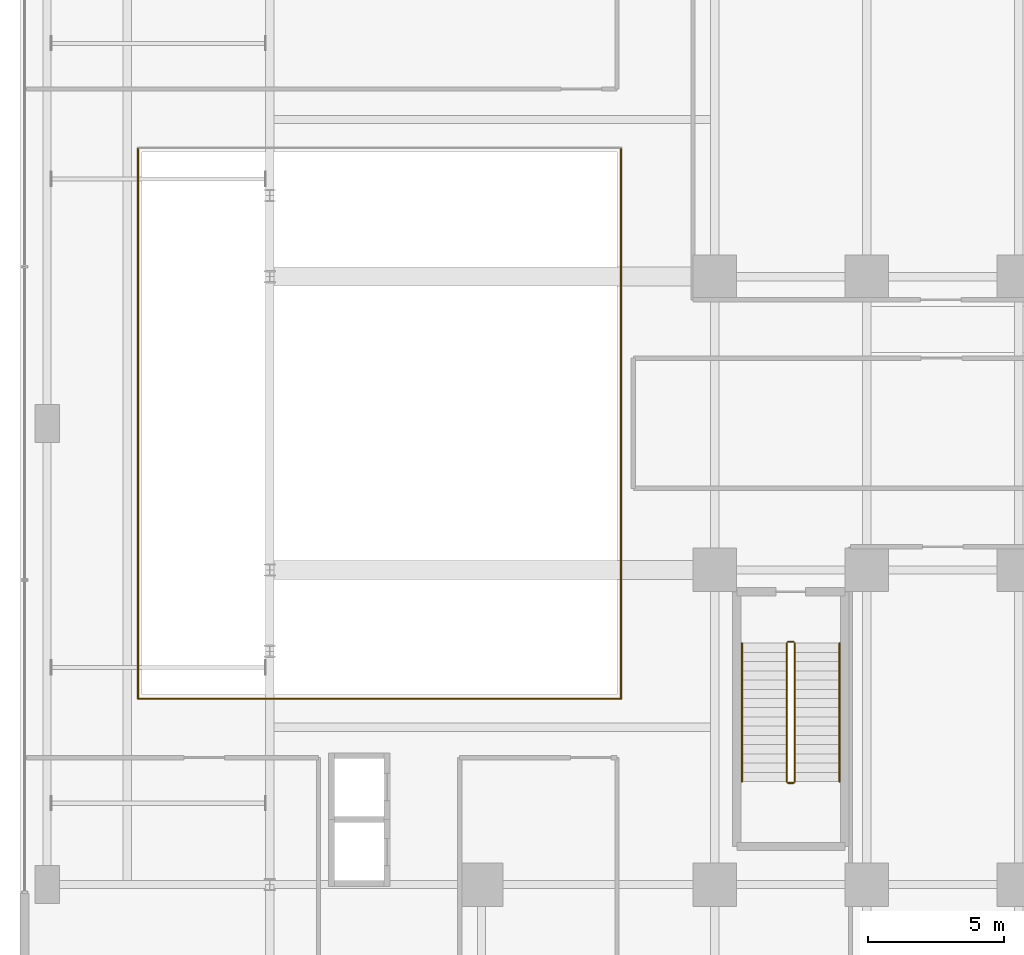
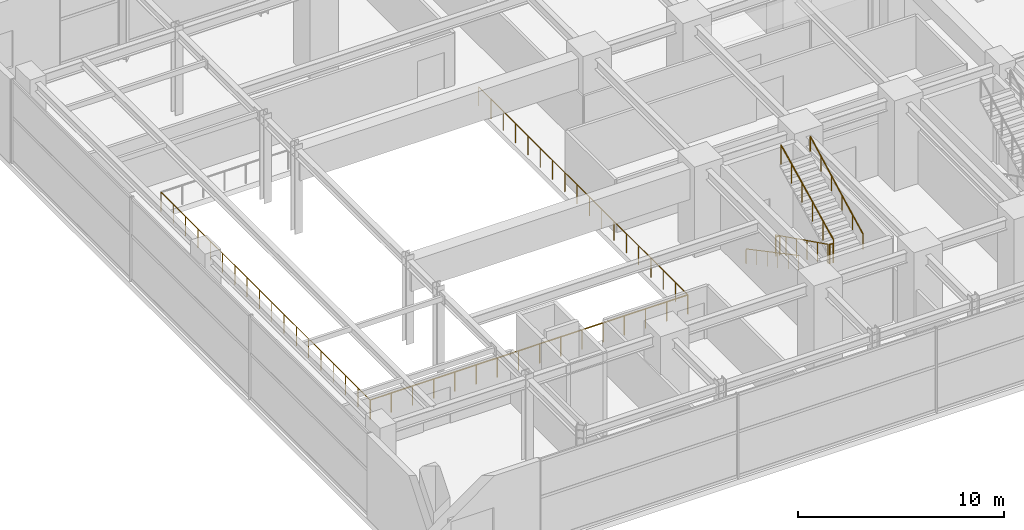
# One storey, part 32 of 35: 9 railings.
"""IFC4 building model written with IfcOpenShell, lengths in metres."""

from ifc_helpers import new_model, si_unit, direction, frame, origin, origin_2d, place, context, subcontext, project, spatial, circle, extrude, material, type_object, element, save


model = new_model("IFC4")

# Units and contexts
model_context = context("Model", 3, precision=1e-05, world=origin(), true_north=direction((0.0, 1.0)))
body_context = subcontext(model_context, "Body", "Model", "MODEL_VIEW")
ifc_project = project(units=[si_unit("LENGTHUNIT", "METRE"), si_unit("AREAUNIT", "SQUARE_METRE"), si_unit("VOLUMEUNIT", "CUBIC_METRE"), si_unit("PLANEANGLEUNIT", "RADIAN"), si_unit("MASSUNIT", "GRAM", prefix="KILO")], contexts=[model_context])

# Site, building, storey
site_placement = place(None, origin())
site = spatial("IfcSite", under=ifc_project, at=site_placement, CompositionType="ELEMENT")
building_placement = place(site_placement, origin())
building = spatial("IfcBuilding", under=site, at=building_placement, Name="Nahalor Promenade Grand Hotel", CompositionType="ELEMENT")
storey_placement = place(building_placement, frame((0.0, 0.0, 21.60009765625)))
storey = spatial("IfcBuildingStorey", under=building, at=storey_placement, Name="L04", CompositionType="ELEMENT", Elevation=21.60009765625)

# Railings
ifc_material_1 = material(Name="Anodised Bronze Aluminium EN AW-6063 T6", Category="aluminium")
railing_type_1 = type_object("IfcRailingType", Name="Bronze Sky Balustrade 1150 mm", PredefinedType="BALUSTRADE", material=ifc_material_1)
railing_1_placement = place(storey_placement, frame((-29.64990234375, -10.14990234375, 0.0)))
element("IfcRailing", 1, at=railing_1_placement, inside=storey, type_object=railing_type_1, Name="L04 Edge Guardrail BL-L04-BAL-1", PredefinedType="BALUSTRADE", context=body_context, shape_type="SweptSolid", body=[
    extrude(circle(Radius=0.024048, at=origin_2d()), frame((0.0, 0.0, 1.1259765625), z_axis=(1.0, 0.0, 0.0), x_axis=(0.0, 1.0, 0.0)), (0.0, 0.0, 1.0), 17.7998046875),
    extrude(circle(Radius=0.020996, at=origin_2d()), origin(), (0.0, 0.0, 1.0), 1.099853515625),
    extrude(circle(Radius=0.020996, at=origin_2d()), frame((1.186767578125, 0.0, 0.0)), (0.0, 0.0, 1.0), 1.099853515625),
    extrude(circle(Radius=0.020996, at=origin_2d()), frame((2.373291015625, 0.0, 0.0)), (0.0, 0.0, 1.0), 1.099853515625),
    extrude(circle(Radius=0.020996, at=origin_2d()), frame((3.56005859375, 0.0, 0.0)), (0.0, 0.0, 1.0), 1.099853515625),
    extrude(circle(Radius=0.020996, at=origin_2d()), frame((4.74658203125, 0.0, 0.0)), (0.0, 0.0, 1.0), 1.099853515625),
    extrude(circle(Radius=0.020996, at=origin_2d()), frame((5.933349609375, 0.0, 0.0)), (0.0, 0.0, 1.0), 1.099853515625),
    extrude(circle(Radius=0.020996, at=origin_2d()), frame((7.119873046875, 0.0, 0.0)), (0.0, 0.0, 1.0), 1.099853515625),
    extrude(circle(Radius=0.020996, at=origin_2d()), frame((8.306640625, 0.0, 0.0)), (0.0, 0.0, 1.0), 1.099853515625),
    extrude(circle(Radius=0.020996, at=origin_2d()), frame((9.4931640625, 0.0, 0.0)), (0.0, 0.0, 1.0), 1.099853515625),
    extrude(circle(Radius=0.020996, at=origin_2d()), frame((10.679931640625, 0.0, 0.0)), (0.0, 0.0, 1.0), 1.099853515625),
    extrude(circle(Radius=0.020996, at=origin_2d()), frame((11.866455078125, 0.0, 0.0)), (0.0, 0.0, 1.0), 1.099853515625),
    extrude(circle(Radius=0.020996, at=origin_2d()), frame((13.05322265625, 0.0, 0.0)), (0.0, 0.0, 1.0), 1.099853515625),
    extrude(circle(Radius=0.020996, at=origin_2d()), frame((14.23974609375, 0.0, 0.0)), (0.0, 0.0, 1.0), 1.099853515625),
    extrude(circle(Radius=0.020996, at=origin_2d()), frame((15.426513671875, 0.0, 0.0)), (0.0, 0.0, 1.0), 1.099853515625),
    extrude(circle(Radius=0.020996, at=origin_2d()), frame((16.613037109375, 0.0, 0.0)), (0.0, 0.0, 1.0), 1.099853515625),
    extrude(circle(Radius=0.020996, at=origin_2d()), frame((17.7998046875, 0.0, 0.0)), (0.0, 0.0, 1.0), 1.099853515625),
])
railing_2_placement = place(storey_placement, frame((-11.85009765625, -10.14990234375, 0.0)))
element("IfcRailing", 2, at=railing_2_placement, inside=storey, type_object=railing_type_1, Name="L04 Edge Guardrail BL-L04-BAL-2", PredefinedType="BALUSTRADE", context=body_context, shape_type="SweptSolid", body=[
    extrude(circle(Radius=0.024048, at=origin_2d()), frame((0.0, 0.0, 1.1259765625), z_axis=(0.0, 1.0, 0.0), x_axis=(-1.0, 0.0, 0.0)), (0.0, 0.0, 1.0), 20.2998046875),
    extrude(circle(Radius=0.020996, at=origin_2d()), origin(), (0.0, 0.0, 1.0), 1.099853515625),
    extrude(circle(Radius=0.020996, at=origin_2d()), frame((0.0, 1.194091796875, 0.0)), (0.0, 0.0, 1.0), 1.099853515625),
    extrude(circle(Radius=0.020996, at=origin_2d()), frame((0.0, 2.38818359375, 0.0)), (0.0, 0.0, 1.0), 1.099853515625),
    extrude(circle(Radius=0.020996, at=origin_2d()), frame((0.0, 3.582275390625, 0.0)), (0.0, 0.0, 1.0), 1.099853515625),
    extrude(circle(Radius=0.020996, at=origin_2d()), frame((0.0, 4.7763671875, 0.0)), (0.0, 0.0, 1.0), 1.099853515625),
    extrude(circle(Radius=0.020996, at=origin_2d()), frame((0.0, 5.970458984375, 0.0)), (0.0, 0.0, 1.0), 1.099853515625),
    extrude(circle(Radius=0.020996, at=origin_2d()), frame((0.0, 7.16455078125, 0.0)), (0.0, 0.0, 1.0), 1.099853515625),
    extrude(circle(Radius=0.020996, at=origin_2d()), frame((0.0, 8.358642578125, 0.0)), (0.0, 0.0, 1.0), 1.099853515625),
    extrude(circle(Radius=0.020996, at=origin_2d()), frame((0.0, 9.552734375, 0.0)), (0.0, 0.0, 1.0), 1.099853515625),
    extrude(circle(Radius=0.020996, at=origin_2d()), frame((0.0, 10.7470703125, 0.0)), (0.0, 0.0, 1.0), 1.099853515625),
    extrude(circle(Radius=0.020996, at=origin_2d()), frame((0.0, 11.941162109375, 0.0)), (0.0, 0.0, 1.0), 1.099853515625),
    extrude(circle(Radius=0.020996, at=origin_2d()), frame((0.0, 13.13525390625, 0.0)), (0.0, 0.0, 1.0), 1.099853515625),
    extrude(circle(Radius=0.020996, at=origin_2d()), frame((0.0, 14.329345703125, 0.0)), (0.0, 0.0, 1.0), 1.099853515625),
    extrude(circle(Radius=0.020996, at=origin_2d()), frame((0.0, 15.5234375, 0.0)), (0.0, 0.0, 1.0), 1.099853515625),
    extrude(circle(Radius=0.020996, at=origin_2d()), frame((0.0, 16.717529296875, 0.0)), (0.0, 0.0, 1.0), 1.099853515625),
    extrude(circle(Radius=0.020996, at=origin_2d()), frame((0.0, 17.91162109375, 0.0)), (0.0, 0.0, 1.0), 1.099853515625),
    extrude(circle(Radius=0.020996, at=origin_2d()), frame((0.0, 19.105712890625, 0.0)), (0.0, 0.0, 1.0), 1.099853515625),
    extrude(circle(Radius=0.020996, at=origin_2d()), frame((0.0, 20.2998046875, 0.0)), (0.0, 0.0, 1.0), 1.099853515625),
])
railing_3_placement = place(storey_placement, frame((-29.64990234375, 10.14990234375, 0.0)))
element("IfcRailing", 3, at=railing_3_placement, inside=storey, type_object=railing_type_1, Name="L04 Edge Guardrail BL-L04-BAL-4", PredefinedType="BALUSTRADE", context=body_context, shape_type="SweptSolid", body=[
    extrude(circle(Radius=0.024048, at=origin_2d()), frame((0.0, 0.0, 1.1259765625), z_axis=(0.0, -1.0, 0.0), x_axis=(1.0, 0.0, 0.0)), (0.0, 0.0, 1.0), 20.2998046875),
    extrude(circle(Radius=0.020996, at=origin_2d()), origin(), (0.0, 0.0, 1.0), 1.099853515625),
    extrude(circle(Radius=0.020996, at=origin_2d()), frame((0.0, -1.194091796875, 0.0)), (0.0, 0.0, 1.0), 1.099853515625),
    extrude(circle(Radius=0.020996, at=origin_2d()), frame((0.0, -2.38818359375, 0.0)), (0.0, 0.0, 1.0), 1.099853515625),
    extrude(circle(Radius=0.020996, at=origin_2d()), frame((0.0, -3.582275390625, 0.0)), (0.0, 0.0, 1.0), 1.099853515625),
    extrude(circle(Radius=0.020996, at=origin_2d()), frame((0.0, -4.7763671875, 0.0)), (0.0, 0.0, 1.0), 1.099853515625),
    extrude(circle(Radius=0.020996, at=origin_2d()), frame((0.0, -5.970458984375, 0.0)), (0.0, 0.0, 1.0), 1.099853515625),
    extrude(circle(Radius=0.020996, at=origin_2d()), frame((0.0, -7.16455078125, 0.0)), (0.0, 0.0, 1.0), 1.099853515625),
    extrude(circle(Radius=0.020996, at=origin_2d()), frame((0.0, -8.358642578125, 0.0)), (0.0, 0.0, 1.0), 1.099853515625),
    extrude(circle(Radius=0.020996, at=origin_2d()), frame((0.0, -9.552734375, 0.0)), (0.0, 0.0, 1.0), 1.099853515625),
    extrude(circle(Radius=0.020996, at=origin_2d()), frame((0.0, -10.7470703125, 0.0)), (0.0, 0.0, 1.0), 1.099853515625),
    extrude(circle(Radius=0.020996, at=origin_2d()), frame((0.0, -11.941162109375, 0.0)), (0.0, 0.0, 1.0), 1.099853515625),
    extrude(circle(Radius=0.020996, at=origin_2d()), frame((0.0, -13.13525390625, 0.0)), (0.0, 0.0, 1.0), 1.099853515625),
    extrude(circle(Radius=0.020996, at=origin_2d()), frame((0.0, -14.329345703125, 0.0)), (0.0, 0.0, 1.0), 1.099853515625),
    extrude(circle(Radius=0.020996, at=origin_2d()), frame((0.0, -15.5234375, 0.0)), (0.0, 0.0, 1.0), 1.099853515625),
    extrude(circle(Radius=0.020996, at=origin_2d()), frame((0.0, -16.717529296875, 0.0)), (0.0, 0.0, 1.0), 1.099853515625),
    extrude(circle(Radius=0.020996, at=origin_2d()), frame((0.0, -17.91162109375, 0.0)), (0.0, 0.0, 1.0), 1.099853515625),
    extrude(circle(Radius=0.020996, at=origin_2d()), frame((0.0, -19.105712890625, 0.0)), (0.0, 0.0, 1.0), 1.099853515625),
    extrude(circle(Radius=0.020996, at=origin_2d()), frame((0.0, -20.2998046875, 0.0)), (0.0, 0.0, 1.0), 1.099853515625),
])
ifc_material_2 = material(Name="Steel S355JR", Category="steel")
railing_type_2 = type_object("IfcRailingType", Name="Steel Stair Guardrail 1150 mm", PredefinedType="GUARDRAIL", material=ifc_material_2)
railing_4_placement = place(storey_placement, frame((-5.75, -8.10009765625, 0.168701171875)))
element("IfcRailing", 4, at=railing_4_placement, inside=storey, type_object=railing_type_2, Name="L04 ST3 stair guard 1", PredefinedType="GUARDRAIL", context=body_context, shape_type="SweptSolid", body=[
    extrude(circle(Radius=0.024048, at=origin_2d()), frame((0.0, 0.0, 1.1259765625), z_axis=(0.0, -0.895735491292, 0.444587370086), x_axis=(1.0, 0.0, 0.0)), (0.0, 0.0, 1.0), 5.693603515625),
    extrude(circle(Radius=0.020996, at=origin_2d()), origin(), (0.0, 0.0, 1.0), 1.099853515625),
    extrude(circle(Radius=0.020996, at=origin_2d()), frame((0.0, -1.02001953125, 0.50634765625)), (0.0, 0.0, 1.0), 1.099853515625),
    extrude(circle(Radius=0.020996, at=origin_2d()), frame((0.0, -2.0400390625, 1.012451171875)), (0.0, 0.0, 1.0), 1.099853515625),
    extrude(circle(Radius=0.020996, at=origin_2d()), frame((0.0, -3.059814453125, 1.518798828125)), (0.0, 0.0, 1.0), 1.099853515625),
    extrude(circle(Radius=0.020996, at=origin_2d()), frame((0.0, -4.079833984375, 2.02490234375)), (0.0, 0.0, 1.0), 1.099853515625),
    extrude(circle(Radius=0.020996, at=origin_2d()), frame((0.0, -5.099853515625, 2.53125)), (0.0, 0.0, 1.0), 1.099853515625),
])
railing_5_placement = place(storey_placement, frame((-5.699951171875, -13.25, 2.699951171875)))
element("IfcRailing", 5, at=railing_5_placement, inside=storey, type_object=railing_type_2, Name="L04 ST3 stair guard 2", PredefinedType="GUARDRAIL", context=body_context, shape_type="SweptSolid", body=[
    extrude(circle(Radius=0.024048, at=origin_2d()), frame((0.0, 0.0, 1.1259765625), z_axis=(1.0, 0.0, 0.0), x_axis=(0.0, 1.0, 0.0)), (0.0, 0.0, 1.0), 0.199951171875),
    extrude(circle(Radius=0.020996, at=origin_2d()), origin(), (0.0, 0.0, 1.0), 1.099853515625),
    extrude(circle(Radius=0.020996, at=origin_2d()), frame((0.199951171875, 0.0, 0.0)), (0.0, 0.0, 1.0), 1.099853515625),
])
railing_6_placement = place(storey_placement, frame((-5.449951171875, -13.199951171875, 2.86865234375)))
element("IfcRailing", 6, at=railing_6_placement, inside=storey, type_object=railing_type_2, Name="L04 ST3 stair guard 3", PredefinedType="GUARDRAIL", context=body_context, shape_type="SweptSolid", body=[
    extrude(circle(Radius=0.024048, at=origin_2d()), frame((0.0, 0.0, 1.1259765625), z_axis=(0.0, 0.895735491292, 0.444587370086), x_axis=(-1.0, 0.0, 0.0)), (0.0, 0.0, 1.0), 5.693603515625),
    extrude(circle(Radius=0.020996, at=origin_2d()), origin(), (0.0, 0.0, 1.0), 1.099853515625),
    extrude(circle(Radius=0.020996, at=origin_2d()), frame((0.0, 1.02001953125, 0.50634765625)), (0.0, 0.0, 1.0), 1.099853515625),
    extrude(circle(Radius=0.020996, at=origin_2d()), frame((0.0, 2.0400390625, 1.012451171875)), (0.0, 0.0, 1.0), 1.099853515625),
    extrude(circle(Radius=0.020996, at=origin_2d()), frame((0.0, 3.059814453125, 1.518798828125)), (0.0, 0.0, 1.0), 1.099853515625),
    extrude(circle(Radius=0.020996, at=origin_2d()), frame((0.0, 4.079833984375, 2.02490234375)), (0.0, 0.0, 1.0), 1.099853515625),
    extrude(circle(Radius=0.020996, at=origin_2d()), frame((0.0, 5.099853515625, 2.53125)), (0.0, 0.0, 1.0), 1.099853515625),
])
railing_7_placement = place(storey_placement, frame((-5.699951171875, -8.050048828125, 0.0)))
element("IfcRailing", 7, at=railing_7_placement, inside=storey, type_object=railing_type_2, Name="L04 ST3 stair guard 4", PredefinedType="GUARDRAIL", context=body_context, shape_type="SweptSolid", body=[
    extrude(circle(Radius=0.024048, at=origin_2d()), frame((0.0, 0.0, 1.1259765625), z_axis=(1.0, 0.0, 0.0), x_axis=(0.0, 1.0, 0.0)), (0.0, 0.0, 1.0), 0.199951171875),
    extrude(circle(Radius=0.020996, at=origin_2d()), origin(), (0.0, 0.0, 1.0), 1.099853515625),
    extrude(circle(Radius=0.020996, at=origin_2d()), frame((0.199951171875, 0.0, 0.0)), (0.0, 0.0, 1.0), 1.099853515625),
])
railing_type_3 = type_object("IfcRailingType", Name="Steel Stair Handrail 900 mm", PredefinedType="HANDRAIL", material=ifc_material_2)
railing_8_placement = place(storey_placement, frame((-7.39990234375, -8.10009765625, 0.168701171875)))
element("IfcRailing", 8, at=railing_8_placement, inside=storey, type_object=railing_type_3, Name="L04 ST3 stair handrail 1", PredefinedType="HANDRAIL", context=body_context, shape_type="SweptSolid", body=[
    extrude(circle(Radius=0.024048, at=origin_2d()), frame((0.0, 0.0, 0.8759765625), z_axis=(0.0, -0.883785858079, 0.467891608238), x_axis=(1.0, 0.0, 0.0)), (0.0, 0.0, 1.0), 5.7705078125),
    extrude(circle(Radius=0.020996, at=origin_2d()), origin(), (0.0, 0.0, 1.0), 0.849853515625),
    extrude(circle(Radius=0.020996, at=origin_2d()), frame((0.0, -1.02001953125, 0.5400390625)), (0.0, 0.0, 1.0), 0.849853515625),
    extrude(circle(Radius=0.020996, at=origin_2d()), frame((0.0, -2.0400390625, 1.080078125)), (0.0, 0.0, 1.0), 0.849853515625),
    extrude(circle(Radius=0.020996, at=origin_2d()), frame((0.0, -3.059814453125, 1.619873046875)), (0.0, 0.0, 1.0), 0.849853515625),
    extrude(circle(Radius=0.020996, at=origin_2d()), frame((0.0, -4.079833984375, 2.159912109375)), (0.0, 0.0, 1.0), 0.849853515625),
    extrude(circle(Radius=0.020996, at=origin_2d()), frame((0.0, -5.099853515625, 2.699951171875)), (0.0, 0.0, 1.0), 0.849853515625),
])
railing_9_placement = place(storey_placement, frame((-3.800048828125, -13.199951171875, 2.86865234375)))
element("IfcRailing", 9, at=railing_9_placement, inside=storey, type_object=railing_type_3, Name="L04 ST3 stair handrail 2", PredefinedType="HANDRAIL", context=body_context, shape_type="SweptSolid", body=[
    extrude(circle(Radius=0.024048, at=origin_2d()), frame((0.0, 0.0, 0.8759765625), z_axis=(0.0, 0.883785858079, 0.467891608238), x_axis=(-1.0, 0.0, 0.0)), (0.0, 0.0, 1.0), 5.7705078125),
    extrude(circle(Radius=0.020996, at=origin_2d()), origin(), (0.0, 0.0, 1.0), 0.849853515625),
    extrude(circle(Radius=0.020996, at=origin_2d()), frame((0.0, 1.02001953125, 0.5400390625)), (0.0, 0.0, 1.0), 0.849853515625),
    extrude(circle(Radius=0.020996, at=origin_2d()), frame((0.0, 2.0400390625, 1.080078125)), (0.0, 0.0, 1.0), 0.849853515625),
    extrude(circle(Radius=0.020996, at=origin_2d()), frame((0.0, 3.059814453125, 1.619873046875)), (0.0, 0.0, 1.0), 0.849853515625),
    extrude(circle(Radius=0.020996, at=origin_2d()), frame((0.0, 4.079833984375, 2.159912109375)), (0.0, 0.0, 1.0), 0.849853515625),
    extrude(circle(Radius=0.020996, at=origin_2d()), frame((0.0, 5.099853515625, 2.699951171875)), (0.0, 0.0, 1.0), 0.849853515625),
])

save(model, "model.ifc")
